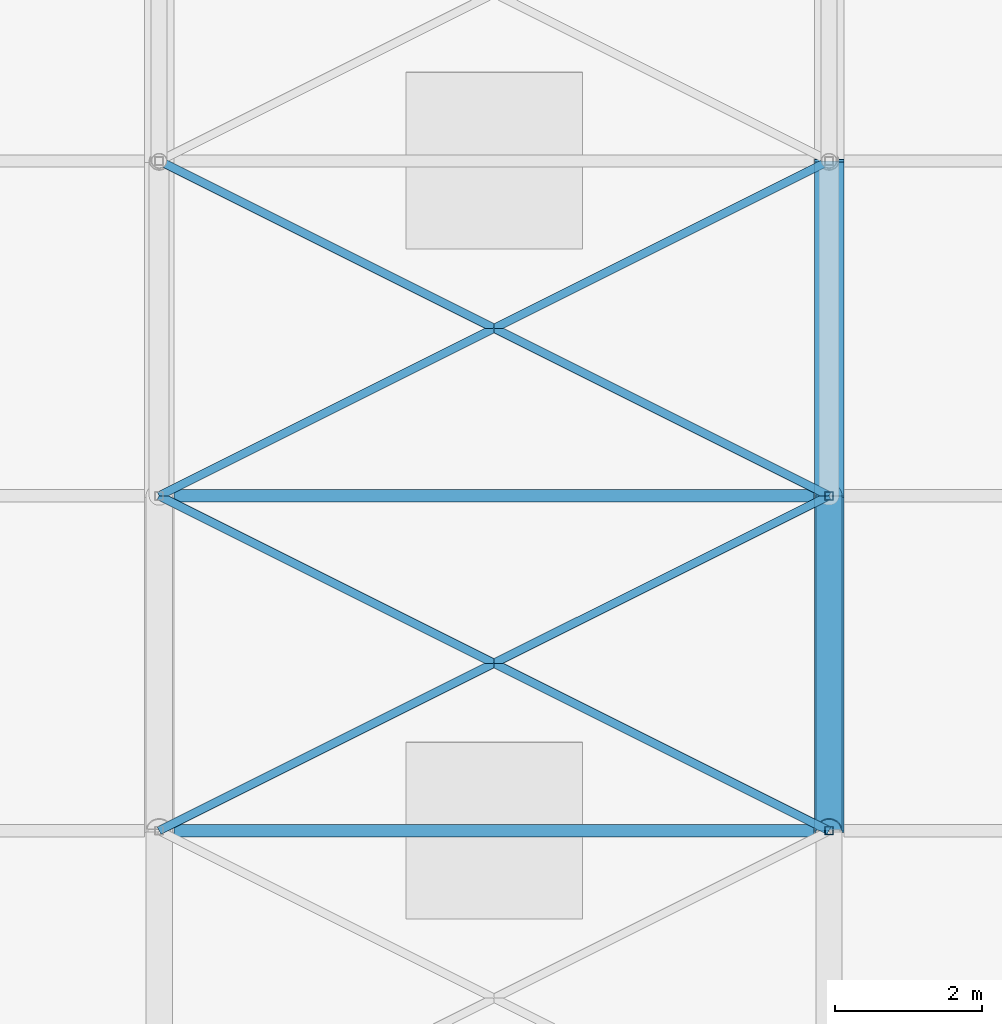
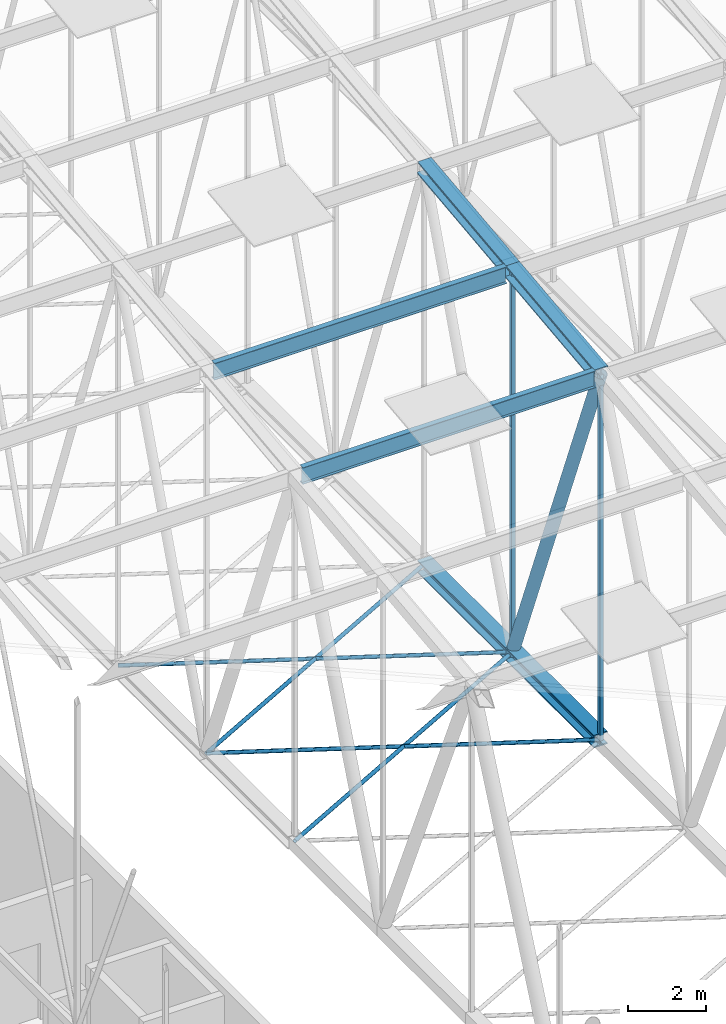
# One storey, part 82 of 500: 13 members.
"""IFC4 building model written with IfcOpenShell, lengths in metres."""

from ifc_helpers import new_model, si_unit, direction, frame, origin, origin_2d, place, context, subcontext, project, spatial, hollow_rectangle, hollow_circle, i_section, extrude, material, material_profile, profile_set, type_object, element, save


model = new_model("IFC4")

# Units and contexts
model_context = context("Model", 3, precision=1e-05, world=origin(), true_north=direction((0.0, 1.0)))
body_context = subcontext(model_context, "Body", "Model", "MODEL_VIEW")
ifc_project = project(units=[si_unit("LENGTHUNIT", "METRE"), si_unit("AREAUNIT", "SQUARE_METRE"), si_unit("VOLUMEUNIT", "CUBIC_METRE"), si_unit("PLANEANGLEUNIT", "RADIAN"), si_unit("MASSUNIT", "GRAM", prefix="KILO")], contexts=[model_context])

# Site, building, storey
site_placement = place(None, origin())
site = spatial("IfcSite", under=ifc_project, at=site_placement, CompositionType="ELEMENT")
building_placement = place(site_placement, origin())
building = spatial("IfcBuilding", under=site, at=building_placement, Name="Shirokan Park Arena", CompositionType="ELEMENT")
storey_placement = place(building_placement, frame((0.0, 0.0, 29.1201171875)))
storey = spatial("IfcBuildingStorey", under=building, at=storey_placement, Name="L06", CompositionType="ELEMENT", Elevation=29.1201171875)

# Members
ifc_material_1 = material(Name="Steel ASTM A992", Category="steel")
ifc_material_profile_1 = material_profile(ifc_material_1, i_section(OverallWidth=0.40087890625, OverallDepth=0.39892578125, WebThickness=0.02490234375, FlangeThickness=0.03955078125, at=origin_2d()), Name="W360X314")
ifc_profile_set_1 = profile_set([ifc_material_profile_1], Name="Steel ASTM A992")
member_type_1 = type_object("IfcMemberType", Name="Bottom chord W360X314", PredefinedType="CHORD", material=ifc_profile_set_1)
member_1_placement = place(storey_placement, frame((54.60009765625, 31.85009765625, 4.677001953125), z_axis=(0.0, 1.0, 0.0), x_axis=(-1.0, 0.0, 0.0)))
element("IfcMember", 1, at=member_1_placement, inside=storey, type_object=member_type_1, Name="Truss T07 bottom chord 10", PredefinedType="CHORD", context=body_context, shape_type="SweptSolid", body=[
    extrude(i_section(OverallWidth=0.40087890625, OverallDepth=0.39892578125, WebThickness=0.02490234375, FlangeThickness=0.03955078125, at=origin_2d()), origin(), (0.0, 0.0, 1.0), 4.5498046875),
])
member_2_placement = place(storey_placement, frame((54.60009765625, 36.39990234375, 4.677001953125), z_axis=(0.0, 1.0, 0.0), x_axis=(-1.0, 0.0, 0.0)))
element("IfcMember", 2, at=member_2_placement, inside=storey, type_object=member_type_1, Name="Truss T07 bottom chord 11", PredefinedType="CHORD", context=body_context, shape_type="SweptSolid", body=[
    extrude(i_section(OverallWidth=0.40087890625, OverallDepth=0.39892578125, WebThickness=0.02490234375, FlangeThickness=0.03955078125, at=origin_2d()), origin(), (0.0, 0.0, 1.0), 4.550048828125),
])
ifc_material_2 = material(Name="Steel ASTM A500 Grade C", Category="steel")
ifc_material_profile_2 = material_profile(ifc_material_2, hollow_circle(Radius=0.056884765625, WallThickness=0.006103515625, at=origin_2d()), Name="HSS114.3X6")
ifc_profile_set_2 = profile_set([ifc_material_profile_2], Name="Steel ASTM A500 Grade C")
member_type_2 = type_object("IfcMemberType", Name="Plan bracing HSS114.3X6", PredefinedType="BRACE", material=ifc_profile_set_2)
for number, where, z_axis, x_axis, name in (
    (3, (45.5, 31.85009765625, 4.677001953125), (0.8944367893, 0.447194398385, 0.0), (-0.447194398385, 0.8944367893, 0.0), "Plan bracing bay 6 panel 10 A"),
    (4, (54.60009765625, 31.85009765625, 4.677001953125), (-0.8944367893, 0.447194398385, 0.0), (-0.447194398385, -0.8944367893, 0.0), "Plan bracing bay 6 panel 10 B"),
):
    element("IfcMember", number, at=place(storey_placement, frame(where, z_axis=z_axis, x_axis=x_axis)), inside=storey, type_object=member_type_2, Name=name, PredefinedType="BRACE", context=body_context, shape_type="SweptSolid", body=[
        extrude(hollow_circle(Radius=0.056884765625, WallThickness=0.006103515625, at=origin_2d()), origin(), (0.0, 0.0, 1.0), 10.174072265625),
    ])
for number, where, z_axis, x_axis, name in (
    (5, (45.5, 36.39990234375, 4.677001953125), (0.894427191, 0.4472135955, 0.0), (-0.4472135955, 0.894427191, 0.0), "Plan bracing bay 6 panel 11 A"),
    (6, (54.60009765625, 36.39990234375, 4.677001953125), (-0.894427191, 0.4472135955, 0.0), (-0.4472135955, -0.894427191, 0.0), "Plan bracing bay 6 panel 11 B"),
):
    element("IfcMember", number, at=place(storey_placement, frame(where, z_axis=z_axis, x_axis=x_axis)), inside=storey, type_object=member_type_2, Name=name, PredefinedType="BRACE", context=body_context, shape_type="SweptSolid", body=[
        extrude(hollow_circle(Radius=0.056884765625, WallThickness=0.006103515625, at=origin_2d()), origin(), (0.0, 0.0, 1.0), 10.17431640625),
    ])
ifc_material_profile_3 = material_profile(ifc_material_1, i_section(OverallWidth=0.166015625, OverallDepth=0.528076171875, WebThickness=0.009765625, FlangeThickness=0.013671875, at=origin_2d()), Name="W530X74")
ifc_profile_set_3 = profile_set([ifc_material_profile_3], Name="Steel ASTM A992")
member_type_3 = type_object("IfcMemberType", Name="Purlin W530X74", PredefinedType="PURLIN", material=ifc_profile_set_3)
for number, where, z_axis, x_axis, name in (
    (7, (45.700439453125, 31.85009765625, 16.1259765625), (1.0, 0.0, 0.0), (0.0, 1.0, 0.0), "Purlin 10 bay 6"),
    (8, (45.700439453125, 36.39990234375, 16.64599609375), (1.0, 0.0, 0.0), (0.0, 1.0, 0.0), "Purlin 11 bay 6"),
):
    element("IfcMember", number, at=place(storey_placement, frame(where, z_axis=z_axis, x_axis=x_axis)), inside=storey, type_object=member_type_3, Name=name, PredefinedType="PURLIN", context=body_context, shape_type="SweptSolid", body=[
        extrude(i_section(OverallWidth=0.166015625, OverallDepth=0.528076171875, WebThickness=0.009765625, FlangeThickness=0.013671875, at=origin_2d()), origin(), (0.0, 0.0, 1.0), 8.698974609375),
    ])
ifc_material_profile_4 = material_profile(ifc_material_1, i_section(OverallWidth=0.40087890625, OverallDepth=0.39892578125, WebThickness=0.02490234375, FlangeThickness=0.03955078125, at=origin_2d()), Name="W360X314")
ifc_profile_set_4 = profile_set([ifc_material_profile_4], Name="Steel ASTM A992")
member_type_4 = type_object("IfcMemberType", Name="Top chord W360X314", PredefinedType="CHORD", material=ifc_profile_set_4)
member_3_placement = place(storey_placement, frame((54.60009765625, 31.85009765625, 16.181396484375), z_axis=(0.0, 0.993531641592, 0.11355561261), x_axis=(-1.0, 0.0, 0.0)))
element("IfcMember", 9, at=member_3_placement, inside=storey, type_object=member_type_4, Name="Truss T07 top chord 10", PredefinedType="CHORD", context=body_context, shape_type="SweptSolid", body=[
    extrude(i_section(OverallWidth=0.40087890625, OverallDepth=0.39892578125, WebThickness=0.02490234375, FlangeThickness=0.03955078125, at=origin_2d()), origin(), (0.0, 0.0, 1.0), 4.579345703125),
])
member_4_placement = place(storey_placement, frame((54.60009765625, 36.39990234375, 16.701416015625), z_axis=(0.0, 0.993532328996, 0.113549598152), x_axis=(-1.0, 0.0, 0.0)))
element("IfcMember", 10, at=member_4_placement, inside=storey, type_object=member_type_4, Name="Truss T07 top chord 11", PredefinedType="CHORD", context=body_context, shape_type="SweptSolid", body=[
    extrude(i_section(OverallWidth=0.40087890625, OverallDepth=0.39892578125, WebThickness=0.02490234375, FlangeThickness=0.03955078125, at=origin_2d()), origin(), (0.0, 0.0, 1.0), 4.57958984375),
])
ifc_material_profile_5 = material_profile(ifc_material_2, hollow_circle(Radius=0.177978515625, WallThickness=0.0126953125, at=origin_2d()), Name="HSS355.6X12.7")
ifc_profile_set_5 = profile_set([ifc_material_profile_5], Name="Steel ASTM A500 Grade C")
member_type_5 = type_object("IfcMemberType", Name="Truss diagonal HSS355.6X12.7", PredefinedType="BRACE", material=ifc_profile_set_5)
member_5_placement = place(storey_placement, frame((54.60009765625, 31.85009765625, 16.181396484375), z_axis=(0.0, 0.367767637573, -0.929917719346), x_axis=(-1.0, 0.0, 0.0)))
element("IfcMember", 11, at=member_5_placement, inside=storey, type_object=member_type_5, Name="Truss T07 diagonal 10", PredefinedType="BRACE", context=body_context, shape_type="SweptSolid", body=[
    extrude(hollow_circle(Radius=0.177978515625, WallThickness=0.0126953125, at=origin_2d()), origin(), (0.0, 0.0, 1.0), 12.371337890625),
])
ifc_material_profile_6 = material_profile(ifc_material_2, hollow_rectangle(XDim=0.114013671875, YDim=0.114013671875, WallThickness=0.00634765625, at=origin_2d()), Name="HSS114.3X114.3X6.4")
ifc_profile_set_6 = profile_set([ifc_material_profile_6], Name="Steel ASTM A500 Grade C")
member_type_6 = type_object("IfcMemberType", Name="Truss post HSS114.3X114.3X6.4", PredefinedType="POST", material=ifc_profile_set_6)
member_6_placement = place(storey_placement, frame((54.60009765625, 31.85009765625, 4.677001953125), z_axis=(0.0, 0.0, 1.0), x_axis=(1.0, 0.0, 0.0)))
element("IfcMember", 12, at=member_6_placement, inside=storey, type_object=member_type_6, Name="Truss T07 post 10", PredefinedType="POST", context=body_context, shape_type="SweptSolid", body=[
    extrude(hollow_rectangle(XDim=0.114013671875, YDim=0.114013671875, WallThickness=0.00634765625, at=origin_2d()), origin(), (0.0, 0.0, 1.0), 11.50439453125),
])
member_7_placement = place(storey_placement, frame((54.60009765625, 36.39990234375, 4.677001953125), z_axis=(0.0, 0.0, 1.0), x_axis=(1.0, 0.0, 0.0)))
element("IfcMember", 13, at=member_7_placement, inside=storey, type_object=member_type_6, Name="Truss T07 post 11", PredefinedType="POST", context=body_context, shape_type="SweptSolid", body=[
    extrude(hollow_rectangle(XDim=0.114013671875, YDim=0.114013671875, WallThickness=0.00634765625, at=origin_2d()), origin(), (0.0, 0.0, 1.0), 12.0244140625),
])

save(model, "model.ifc")
